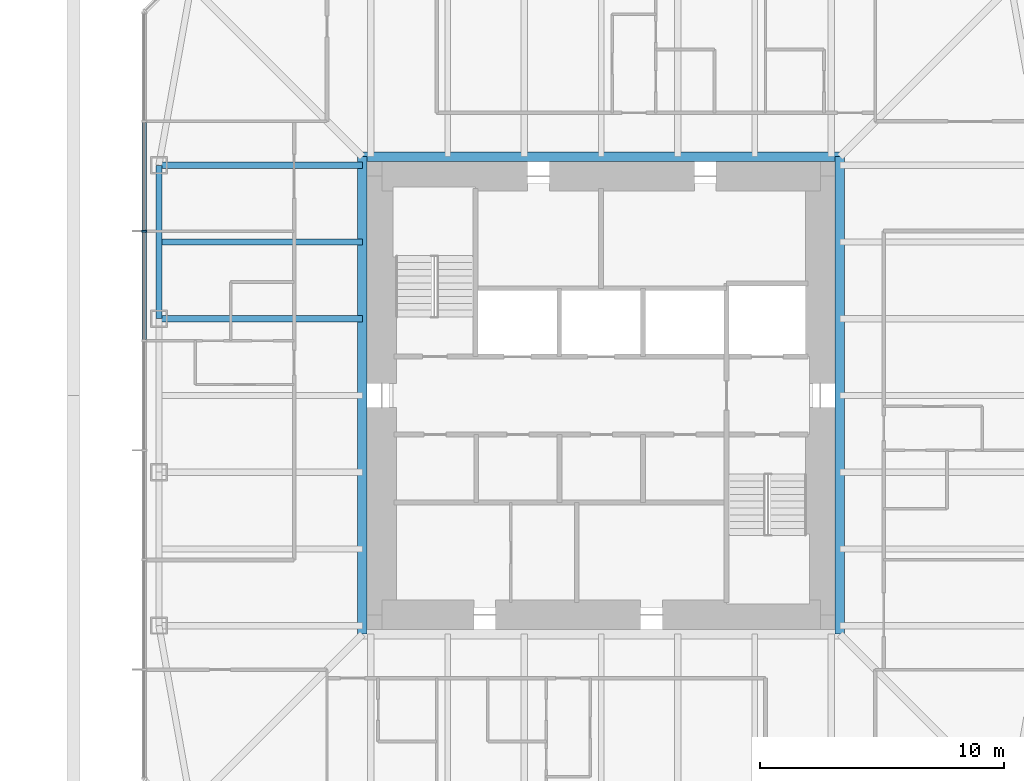
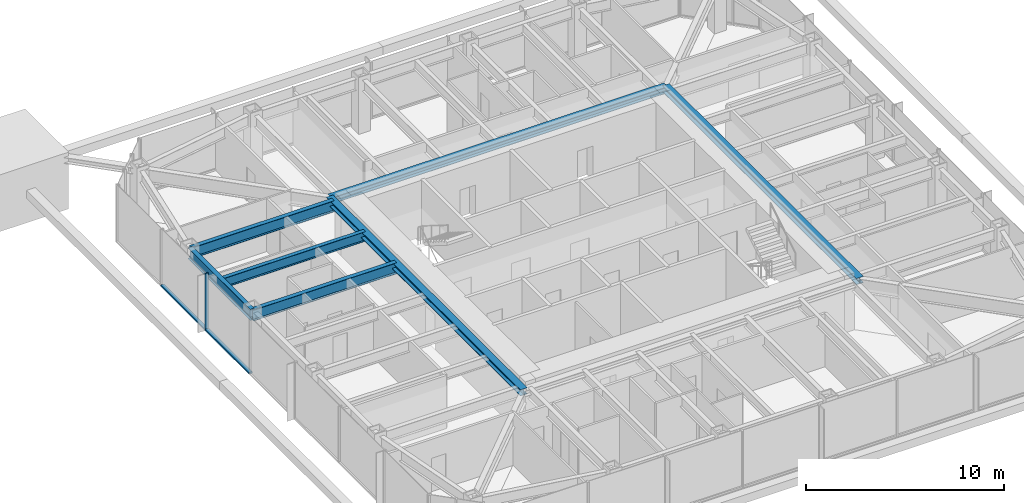
# One storey, part 3 of 13: 7 beams, 3 members, 1 element without a shape of its own.
"""IFC4 building model written with IfcOpenShell, lengths in metres."""

from ifc_helpers import new_model, si_unit, direction, frame, origin, origin_2d, place, context, subcontext, project, spatial, rectangle, i_section, extrude, material, material_profile, profile_set, type_object, element, aggregate, save


model = new_model("IFC4")

# Units and contexts
model_context = context("Model", 3, precision=1e-05, world=origin(), true_north=direction((0.0, 1.0)))
body_context = subcontext(model_context, "Body", "Model", "MODEL_VIEW")
ifc_project = project(units=[si_unit("LENGTHUNIT", "METRE"), si_unit("AREAUNIT", "SQUARE_METRE"), si_unit("VOLUMEUNIT", "CUBIC_METRE"), si_unit("PLANEANGLEUNIT", "RADIAN"), si_unit("MASSUNIT", "GRAM", prefix="KILO")], contexts=[model_context])

# Site, building, storey
site_placement = place(None, origin())
site = spatial("IfcSite", under=ifc_project, at=site_placement, CompositionType="ELEMENT")
building_placement = place(site_placement, origin())
building = spatial("IfcBuilding", under=site, at=building_placement, Name="Iwan Alto Co-Living Towers", CompositionType="ELEMENT")
storey_placement = place(building_placement, frame((0.0, 0.0, 191.5)))
storey = spatial("IfcBuildingStorey", under=building, at=storey_placement, Name="L52", CompositionType="ELEMENT", Elevation=191.5)

# Curtain wall, members
ifc_material_1 = material(Name="Bronze aluminium unitised frame", Category="aluminium")
curtain_wall_type = type_object("IfcCurtainWallType", Name="CURTAIN WALL CW-A", PredefinedType="NOTDEFINED", material=ifc_material_1)
curtain_wall_placement = place(storey_placement, origin())
curtain_wall = element("IfcCurtainWall", 1, at=curtain_wall_placement, inside=storey, type_object=curtain_wall_type, Name="T1 curtain wall W L52", PredefinedType="NOTDEFINED")
ifc_material_2 = material(Name="Aluminium 6063-T6 bronze anodised", Category="aluminium")
ifc_material_profile_1 = material_profile(ifc_material_2, rectangle(XDim=0.199951171875, YDim=0.080078125, at=origin_2d()), Name="AL 80X200")
ifc_profile_set_1 = profile_set([ifc_material_profile_1], Name="Aluminium 6063-T6 bronze anodised")
member_type_1 = type_object("IfcMemberType", Name="CW-A MULLION 80X200", PredefinedType="MULLION", material=ifc_profile_set_1)
member_1_placement = place(storey_placement, frame((-18.75, 6.75, 0.0), z_axis=(0.0, 0.0, 1.0), x_axis=(1.0, 0.0, 0.0)))
member_1 = element("IfcMember", 2, at=member_1_placement, type_object=member_type_1, Name="CW-A mullion 3", PredefinedType="MULLION", context=body_context, shape_type="SweptSolid", body=[
    extrude(rectangle(XDim=0.199951171875, YDim=0.080078125, at=origin_2d()), origin(), (0.0, 0.0, 1.0), 3.5),
])
ifc_material_3 = material(Name="Aluminium 6063-T6 bronze anodised", Category="aluminium")
ifc_material_profile_2 = material_profile(ifc_material_3, rectangle(XDim=0.199951171875, YDim=0.10009765625, at=origin_2d()), Name="AL 200X100")
ifc_profile_set_2 = profile_set([ifc_material_profile_2], Name="Aluminium 6063-T6 bronze anodised")
member_type_2 = type_object("IfcMemberType", Name="CW-A TRANSOM 200X100", PredefinedType="USERDEFINED", material=ifc_profile_set_2)
member_2_placement = place(storey_placement, frame((-18.75, 11.2099609375, 0.050048828125), z_axis=(0.0, -1.0, 0.0), x_axis=(1.0, 0.0, 0.0)))
member_2 = element("IfcMember", 3, at=member_2_placement, type_object=member_type_2, Name="CW-A transom 2.1", ObjectType="TRANSOM", PredefinedType="USERDEFINED", context=body_context, shape_type="SweptSolid", body=[
    extrude(rectangle(XDim=0.199951171875, YDim=0.10009765625, at=origin_2d()), origin(), (0.0, 0.0, 1.0), 4.419921875),
])
member_3_placement = place(storey_placement, frame((-18.75, 6.7099609375, 0.050048828125), z_axis=(0.0, -1.0, 0.0), x_axis=(1.0, 0.0, 0.0)))
member_3 = element("IfcMember", 4, at=member_3_placement, type_object=member_type_2, Name="CW-A transom 3.1", ObjectType="TRANSOM", PredefinedType="USERDEFINED", context=body_context, shape_type="SweptSolid", body=[
    extrude(rectangle(XDim=0.199951171875, YDim=0.10009765625, at=origin_2d()), origin(), (0.0, 0.0, 1.0), 4.419921875),
])
aggregate(curtain_wall, [member_1, member_2, member_3])

# Beams
ifc_material_4 = material(Name="Steel ASTM A992 Gr 50", Category="steel")
ifc_material_profile_3 = material_profile(ifc_material_4, i_section(OverallWidth=0.398681640625, OverallDepth=0.385986328125, WebThickness=0.02099609375, FlangeThickness=0.033203125, at=origin_2d()), Name="W14X176")
ifc_profile_set_3 = profile_set([ifc_material_profile_3], Name="Steel ASTM A992 Gr 50")
beam_type_1 = type_object("IfcBeamType", Name="T1 CORE LEDGER BEAM W14X176", PredefinedType="BEAM", material=ifc_profile_set_3)
for number, where, z_axis, x_axis, name in (
    (5, (9.79931640625, -9.79931640625, 3.076904296875), (0.0, 1.0, 0.0), (-1.0, 0.0, 0.0), "T1 core ledger beam E L53"),
    (6, (9.79931640625, 9.79931640625, 3.076904296875), (-1.0, 0.0, 0.0), (0.0, -1.0, 0.0), "T1 core ledger beam N L53"),
    (7, (-9.79931640625, 9.79931640625, 3.076904296875), (0.0, -1.0, 0.0), (1.0, 0.0, 0.0), "T1 core ledger beam W L53"),
):
    element("IfcBeam", number, at=place(storey_placement, frame(where, z_axis=z_axis, x_axis=x_axis)), inside=storey, type_object=beam_type_1, Name=name, PredefinedType="BEAM", context=body_context, shape_type="SweptSolid", body=[
        extrude(i_section(OverallWidth=0.398681640625, OverallDepth=0.385986328125, WebThickness=0.02099609375, FlangeThickness=0.033203125, at=origin_2d()), origin(), (0.0, 0.0, 1.0), 19.5986328125),
    ])
ifc_material_5 = material(Name="Steel ASTM A992 Gr 50", Category="steel")
ifc_material_profile_4 = material_profile(ifc_material_5, i_section(OverallWidth=0.25390625, OverallDepth=0.683349609375, WebThickness=0.012451171875, FlangeThickness=0.018798828125, at=origin_2d()), Name="W27X94")
ifc_profile_set_4 = profile_set([ifc_material_profile_4], Name="Steel ASTM A992 Gr 50")
beam_type_2 = type_object("IfcBeamType", Name="T1 EDGE BEAM W27X94", PredefinedType="BEAM", material=ifc_profile_set_4)
beam_1_placement = place(storey_placement, frame((-18.14990234375, 9.449951171875, 2.928466796875), z_axis=(0.0, -1.0, 0.0), x_axis=(1.0, 0.0, 0.0)))
element("IfcBeam", 8, at=beam_1_placement, inside=storey, type_object=beam_type_2, Name="T1 edge beam W1 L53", PredefinedType="BEAM", context=body_context, shape_type="SweptSolid", body=[
    extrude(i_section(OverallWidth=0.25390625, OverallDepth=0.683349609375, WebThickness=0.012451171875, FlangeThickness=0.018798828125, at=origin_2d()), origin(), (0.0, 0.0, 1.0), 6.300048828125),
])
ifc_material_6 = material(Name="Steel ASTM A992 Gr 50", Category="steel")
ifc_material_profile_5 = material_profile(ifc_material_6, i_section(OverallWidth=0.25390625, OverallDepth=0.683349609375, WebThickness=0.012451171875, FlangeThickness=0.018798828125, at=origin_2d()), Name="W27X94")
ifc_profile_set_5 = profile_set([ifc_material_profile_5], Name="Steel ASTM A992 Gr 50")
beam_type_3 = type_object("IfcBeamType", Name="T1 RADIAL BEAM W27X94", PredefinedType="BEAM", material=ifc_profile_set_5)
for number, where, z_axis, x_axis, name in (
    (9, (-18.14990234375, 9.449951171875, 2.928466796875), (1.0, 0.0, 0.0), (0.0, 1.0, 0.0), "T1 radial beam W1 L53"),
    (10, (-18.14990234375, 3.14990234375, 2.928466796875), (1.0, 0.0, 0.0), (0.0, 1.0, 0.0), "T1 radial beam W2 L53"),
):
    element("IfcBeam", number, at=place(storey_placement, frame(where, z_axis=z_axis, x_axis=x_axis)), inside=storey, type_object=beam_type_3, Name=name, PredefinedType="BEAM", context=body_context, shape_type="SweptSolid", body=[
        extrude(i_section(OverallWidth=0.25390625, OverallDepth=0.683349609375, WebThickness=0.012451171875, FlangeThickness=0.018798828125, at=origin_2d()), origin(), (0.0, 0.0, 1.0), 8.3505859375),
    ])
ifc_material_7 = material(Name="Steel ASTM A992 Gr 50", Category="steel")
ifc_material_profile_6 = material_profile(ifc_material_7, i_section(OverallWidth=0.228271484375, OverallDepth=0.607177734375, WebThickness=0.01123046875, FlangeThickness=0.017333984375, at=origin_2d()), Name="W24X76")
ifc_profile_set_6 = profile_set([ifc_material_profile_6], Name="Steel ASTM A992 Gr 50")
beam_type_4 = type_object("IfcBeamType", Name="T1 SECONDARY BEAM W24X76", PredefinedType="JOIST", material=ifc_profile_set_6)
beam_2_placement = place(storey_placement, frame((-18.14990234375, 6.300048828125, 2.966552734375), z_axis=(1.0, 0.0, 0.0), x_axis=(0.0, 1.0, 0.0)))
element("IfcBeam", 11, at=beam_2_placement, inside=storey, type_object=beam_type_4, Name="T1 secondary beam W1 L53", PredefinedType="JOIST", context=body_context, shape_type="SweptSolid", body=[
    extrude(i_section(OverallWidth=0.228271484375, OverallDepth=0.607177734375, WebThickness=0.01123046875, FlangeThickness=0.017333984375, at=origin_2d()), origin(), (0.0, 0.0, 1.0), 8.3505859375),
])

save(model, "model.ifc")
